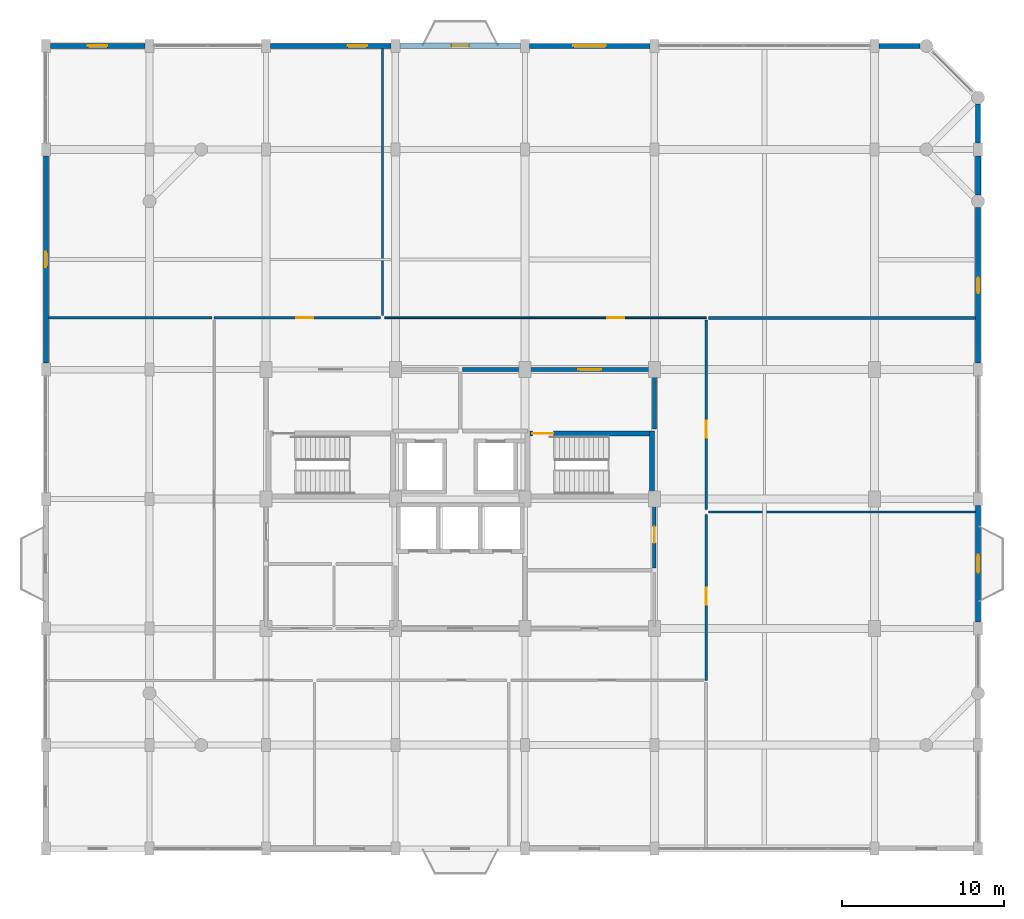
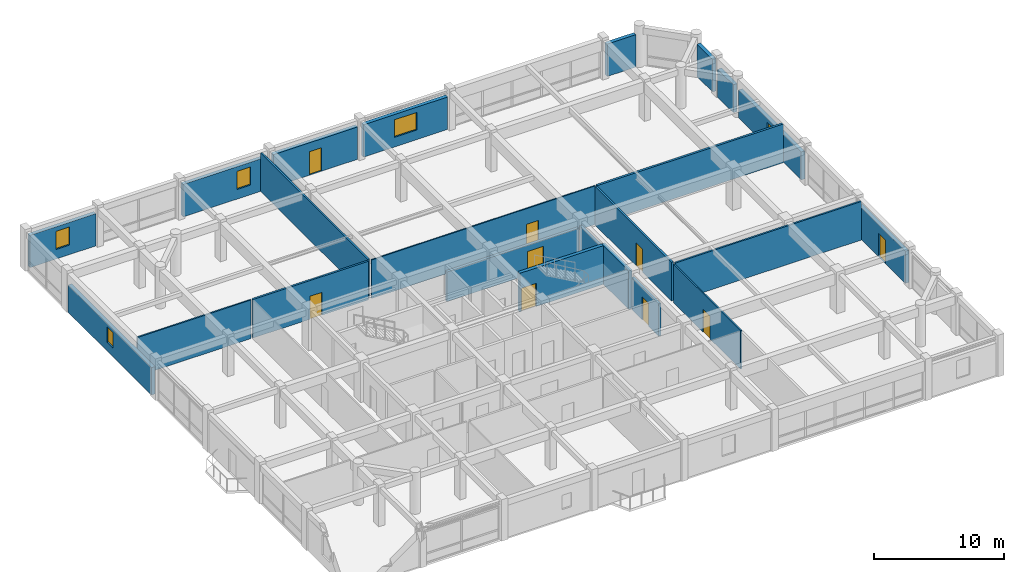
# One storey, part 13 of 15: 23 walls, 9 doors, 5 windows, 14 openings.
"""IFC4 building model written with IfcOpenShell, lengths in metres."""

from ifc_helpers import new_model, si_unit, direction, frame, frame_2d, origin, place, context, subcontext, project, spatial, rectangle, extrude, material, layer, layer_set, type_object, element, fill, save


model = new_model("IFC4")

# Units and contexts
model_context = context("Model", 3, precision=1e-05, world=origin(), true_north=direction((0.0, 1.0)))
body_context = subcontext(model_context, "Body", "Model", "MODEL_VIEW")
ifc_project = project(units=[si_unit("LENGTHUNIT", "METRE"), si_unit("AREAUNIT", "SQUARE_METRE"), si_unit("VOLUMEUNIT", "CUBIC_METRE"), si_unit("PLANEANGLEUNIT", "RADIAN"), si_unit("MASSUNIT", "GRAM", prefix="KILO")], contexts=[model_context])

# Site, building, storey
site_placement = place(None, origin())
site = spatial("IfcSite", under=ifc_project, at=site_placement, CompositionType="ELEMENT")
building_placement = place(site_placement, origin())
building = spatial("IfcBuilding", under=site, at=building_placement, Name="Vellmiral Cinema and Media Centre", CompositionType="ELEMENT")
storey_placement = place(building_placement, frame((0.0, 0.0, 31.699951171875)))
storey = spatial("IfcBuildingStorey", under=building, at=storey_placement, Name="L07", CompositionType="ELEMENT", Elevation=31.699951171875)

# Wall, opening, door
ifc_material_1 = material(Name="Concrete C40/50", Category="concrete")
ifc_layer_1 = layer(ifc_material_1, 0.2099609375, Name="Concrete C40/50")
ifc_layer_set_1 = layer_set([ifc_layer_1], Name="Concrete C40/50")
wall_type_1 = type_object("IfcWallType", Name="WL-COMP-210", PredefinedType="SOLIDWALL", material=ifc_layer_set_1)
wall_1_placement = place(storey_placement, frame((148.0, 82.93994140625, 0.0), z_axis=(0.0, 0.0, 1.0), x_axis=(0.0, 1.0, 0.0)))
wall_1 = element("IfcWall", 1, at=wall_1_placement, inside=storey, type_object=wall_type_1, Name="Data Patch and Riser Room Wall E", PredefinedType="SOLIDWALL", context=body_context, shape_type="SweptSolid", body=[
    extrude(rectangle(XDim=4.1201171875, YDim=0.2099609375, at=frame_2d((2.06005859375, 0.0))), origin(), (0.0, 0.0, 1.0), 3.03515625),
])
opening_1_placement = place(wall_1_placement, frame((1.56005859375, 0.0, 0.0)))
opening_1 = element("IfcOpeningElement", 2, at=opening_1_placement, cuts=wall_1, Name="Opening D-FD30B", PredefinedType="OPENING", context=body_context, shape_type="SweptSolid", body=[
    extrude(rectangle(XDim=1.0, YDim=2.14990234375, at=frame_2d((0.5, 1.074951171875))), frame((0.0, 0.116943359375, 0.0), z_axis=(0.0, -1.0, 0.0), x_axis=(1.0, 0.0, 0.0)), (0.0, 0.0, 1.0), 0.23388671875),
])
ifc_material_2 = material(Name="Steel Riser Fire Door", Category="steel")
door_type_1 = type_object("IfcDoorType", Name="DR-FD30-1000x2150", OperationType="NOTDEFINED", PredefinedType="DOOR", material=ifc_material_2)
door_1_placement = place(opening_1_placement, origin())
door_1 = element("IfcDoor", 3, at=door_1_placement, inside=storey, type_object=door_type_1, Name="Data Patch and Riser Room Door", OperationType="SINGLE_SWING_LEFT", OverallHeight=2.14990234375, OverallWidth=1.0, PredefinedType="DOOR", context=body_context, shape_type="SweptSolid", body=[
    extrude(rectangle(XDim=1.0, YDim=2.14990234375, at=frame_2d((0.5, 1.074951171875))), frame((0.0, 0.02490234375, 0.0), z_axis=(0.0, -1.0, 0.0), x_axis=(1.0, 0.0, 0.0)), (0.0, 0.0, 1.0), 0.050048828125),
])
fill(opening_1, door_1)

# Wall
ifc_material_3 = material(Name="Concrete C40/50", Category="concrete")
ifc_layer_2 = layer(ifc_material_3, 0.300048828125, Name="Concrete C40/50")
ifc_layer_set_2 = layer_set([ifc_layer_2], Name="Concrete C40/50")
wall_type_2 = type_object("IfcWallType", Name="WL-CORE-300", PredefinedType="SHEAR", material=ifc_layer_set_2)
wall_2_placement = place(storey_placement, frame((147.85009765625, 87.199951171875, 0.0), z_axis=(0.0, 0.0, 1.0), x_axis=(0.0, 1.0, 0.0)))
element("IfcWall", 4, at=wall_2_placement, inside=storey, type_object=wall_type_2, Name="Stair Core Wall ST-T2 L07-E", PredefinedType="SHEAR", context=body_context, shape_type="SweptSolid", body=[
    extrude(rectangle(XDim=4.199951171875, YDim=0.300048828125, at=frame_2d((2.10009765625, 0.0))), origin(), (0.0, 0.0, 1.0), 3.6201171875),
])

# Wall, opening, door
wall_3_placement = place(storey_placement, frame((140.300048828125, 91.25, 0.0), z_axis=(0.0, 0.0, 1.0), x_axis=(1.0, 0.0, 0.0)))
wall_3 = element("IfcWall", 5, at=wall_3_placement, inside=storey, type_object=wall_type_2, Name="Stair Core Wall ST-T2 L07-N", PredefinedType="SHEAR", context=body_context, shape_type="SweptSolid", body=[
    extrude(rectangle(XDim=7.39990234375, YDim=0.300048828125, at=frame_2d((3.699951171875, 0.0))), origin(), (0.0, 0.0, 1.0), 3.6201171875),
])
opening_2_placement = place(wall_3_placement, frame((0.159912109375, 0.0, 0.0)))
opening_2 = element("IfcOpeningElement", 6, at=opening_2_placement, cuts=wall_3, Name="Opening D-FD30A", PredefinedType="OPENING", context=body_context, shape_type="SweptSolid", body=[
    extrude(rectangle(XDim=1.300048828125, YDim=2.179931640625, at=frame_2d((0.64990234375, 1.08984375))), frame((0.0, 0.162109375, 0.0), z_axis=(0.0, -1.0, 0.0), x_axis=(1.0, 0.0, 0.0)), (0.0, 0.0, 1.0), 0.323974609375),
])
ifc_material_4 = material(Name="Steel Stair Fire Door", Category="steel")
door_type_2 = type_object("IfcDoorType", Name="DR-FD30-1300x2180", OperationType="NOTDEFINED", PredefinedType="DOOR", material=ifc_material_4)
door_2_placement = place(opening_2_placement, frame((1.300048828125, 0.0, 0.0), z_axis=(0.0, 0.0, 1.0), x_axis=(-1.0, 0.0, 0.0)))
door_2 = element("IfcDoor", 7, at=door_2_placement, inside=storey, type_object=door_type_2, Name="Protected Stair Door ST-T2 L07", OperationType="SINGLE_SWING_RIGHT", OverallHeight=2.179931640625, OverallWidth=1.300048828125, PredefinedType="DOOR", context=body_context, shape_type="SweptSolid", body=[
    extrude(rectangle(XDim=1.300048828125, YDim=2.179931640625, at=frame_2d((0.64990234375, 1.08984375))), frame((0.0, 0.02490234375, 0.0), z_axis=(0.0, -1.0, 0.0), x_axis=(1.0, 0.0, 0.0)), (0.0, 0.0, 1.0), 0.050048828125),
])
fill(opening_2, door_2)

ifc_material_5 = material(Name="Polychrome Glazed Ceramic Cladding", Category="masonry")
ifc_layer_3 = layer(ifc_material_5, 0.320068359375, Name="Polychrome Glazed Ceramic Cladding")
ifc_layer_set_3 = layer_set([ifc_layer_3], Name="Polychrome Glazed Ceramic Cladding")
wall_type_3 = type_object("IfcWallType", Name="WL-EXT-BRICK-320", PredefinedType="SOLIDWALL", material=ifc_layer_set_3)
wall_4_placement = place(storey_placement, frame((168.0, 79.60009765625, 0.0), z_axis=(0.0, 0.0, 1.0), x_axis=(0.0, 1.0, 0.0)))
wall_4 = element("IfcWall", 8, at=wall_4_placement, inside=storey, type_object=wall_type_3, Name="Exterior Facade Wall L07-011", PredefinedType="SOLIDWALL", context=body_context, shape_type="SweptSolid", body=[
    extrude(rectangle(XDim=7.199951171875, YDim=0.320068359375, at=frame_2d((3.60009765625, 0.0))), origin(), (0.0, 0.0, 1.0), 3.025146484375),
])
opening_3_placement = place(wall_4_placement, frame((3.050048828125, 0.0, 0.0)))
opening_3 = element("IfcOpeningElement", 9, at=opening_3_placement, cuts=wall_4, Name="Opening DE-06", PredefinedType="OPENING", context=body_context, shape_type="SweptSolid", body=[
    extrude(rectangle(XDim=1.10009765625, YDim=2.199951171875, at=frame_2d((0.550048828125, 1.10009765625))), frame((0.0, 0.171875, 0.0), z_axis=(0.0, -1.0, 0.0), x_axis=(1.0, 0.0, 0.0)), (0.0, 0.0, 1.0), 0.343994140625),
])
ifc_material_6 = material(Name="Thermally Broken Glazed Aluminium and Bronze Door", Category="aluminium")
door_type_3 = type_object("IfcDoorType", Name="DR-MIRA-1100x2200", OperationType="NOTDEFINED", PredefinedType="DOOR", material=ifc_material_6)
door_3_placement = place(opening_3_placement, frame((1.10009765625, 0.0, 0.0), z_axis=(0.0, 0.0, 1.0), x_axis=(-1.0, 0.0, 0.0)))
door_3 = element("IfcDoor", 10, at=door_3_placement, inside=storey, type_object=door_type_3, Name="Mirador Balcony Door L07-E", OperationType="SINGLE_SWING_LEFT", OverallHeight=2.199951171875, OverallWidth=1.10009765625, PredefinedType="DOOR", context=body_context, shape_type="SweptSolid", body=[
    extrude(rectangle(XDim=1.10009765625, YDim=2.199951171875, at=frame_2d((0.550048828125, 1.10009765625))), frame((0.0, 0.02490234375, 0.0), z_axis=(0.0, -1.0, 0.0), x_axis=(1.0, 0.0, 0.0)), (0.0, 0.0, 1.0), 0.050048828125),
])
fill(opening_3, door_3)

# Wall, opening, window
wall_5_placement = place(storey_placement, frame((168.0, 95.60009765625, 0.0), z_axis=(0.0, 0.0, 1.0), x_axis=(0.0, 1.0, 0.0)))
wall_5 = element("IfcWall", 11, at=wall_5_placement, inside=storey, type_object=wall_type_3, Name="Exterior Facade Wall L07-013", PredefinedType="SOLIDWALL", context=body_context, shape_type="SweptSolid", body=[
    extrude(rectangle(XDim=9.599853515625, YDim=0.320068359375, at=frame_2d((4.7998046875, 0.0))), origin(), (0.0, 0.0, 1.0), 2.625),
])
opening_4_placement = place(wall_5_placement, frame((4.324951171875, 0.0, 0.800048828125)))
opening_4 = element("IfcOpeningElement", 12, at=opening_4_placement, cuts=wall_5, Name="Opening WN-12", PredefinedType="OPENING", context=body_context, shape_type="SweptSolid", body=[
    extrude(rectangle(XDim=0.949951171875, YDim=1.449951171875, at=frame_2d((0.47509765625, 0.72509765625))), frame((0.0, 0.171875, 0.0), z_axis=(0.0, -1.0, 0.0), x_axis=(1.0, 0.0, 0.0)), (0.0, 0.0, 1.0), 0.343994140625),
])
ifc_material_7 = material(Name="Thermally Broken Aluminium Triple Glazing", Category="aluminium")
window_type_1 = type_object("IfcWindowType", Name="WN-0950x1450", PartitioningType="SINGLE_PANEL", PredefinedType="WINDOW", material=ifc_material_7)
window_1_placement = place(opening_4_placement, origin())
window_1 = element("IfcWindow", 13, at=window_1_placement, inside=storey, type_object=window_type_1, Name="Window L07-013", OverallHeight=1.449951171875, OverallWidth=0.949951171875, PartitioningType="SINGLE_PANEL", PredefinedType="WINDOW", context=body_context, shape_type="SweptSolid", body=[
    extrude(rectangle(XDim=0.949951171875, YDim=1.449951171875, at=frame_2d((0.47509765625, 0.72509765625))), frame((0.0, 0.030029296875, 0.0), z_axis=(0.0, -1.0, 0.0), x_axis=(1.0, 0.0, 0.0)), (0.0, 0.0, 1.0), 0.06005859375),
])
fill(opening_4, window_1)

# Walls
wall_6_placement = place(storey_placement, frame((168.0, 109.199951171875, 0.0), z_axis=(0.0, 0.0, 1.0), x_axis=(0.0, 1.0, 0.0)))
element("IfcWall", 14, at=wall_6_placement, inside=storey, type_object=wall_type_3, Name="Exterior Facade Wall L07-015", PredefinedType="SOLIDWALL", context=body_context, shape_type="SweptSolid", body=[
    extrude(rectangle(XDim=2.400146484375, YDim=0.320068359375, at=frame_2d((1.2001953125, 0.0))), origin(), (0.0, 0.0, 1.0), 3.0400390625),
])
wall_7_placement = place(storey_placement, frame((164.39990234375, 115.199951171875, 0.0), z_axis=(0.0, 0.0, 1.0), x_axis=(-1.0, 0.0, 0.0)))
element("IfcWall", 15, at=wall_7_placement, inside=storey, type_object=wall_type_3, Name="Exterior Facade Wall L07-017", PredefinedType="SOLIDWALL", context=body_context, shape_type="SweptSolid", body=[
    extrude(rectangle(XDim=2.52490234375, YDim=0.320068359375, at=frame_2d((1.262451171875, 0.0))), origin(), (0.0, 0.0, 1.0), 3.0400390625),
])

# Wall, opening, window
wall_8_placement = place(storey_placement, frame((147.72509765625, 115.199951171875, 0.0), z_axis=(0.0, 0.0, 1.0), x_axis=(-1.0, 0.0, 0.0)))
wall_8 = element("IfcWall", 16, at=wall_8_placement, inside=storey, type_object=wall_type_3, Name="Exterior Facade Wall L07-019", PredefinedType="SOLIDWALL", context=body_context, shape_type="SweptSolid", body=[
    extrude(rectangle(XDim=7.4501953125, YDim=0.320068359375, at=frame_2d((3.72509765625, 0.0))), origin(), (0.0, 0.0, 1.0), 3.0400390625),
])
opening_5_placement = place(wall_8_placement, frame((2.72509765625, 0.0, 0.89990234375)))
opening_5 = element("IfcOpeningElement", 17, at=opening_5_placement, cuts=wall_8, Name="Opening WN-14", PredefinedType="OPENING", context=body_context, shape_type="SweptSolid", body=[
    extrude(rectangle(XDim=2.0, YDim=1.64990234375, at=frame_2d((1.0, 0.824951171875))), frame((0.0, 0.171875, 0.0), z_axis=(0.0, -1.0, 0.0), x_axis=(1.0, 0.0, 0.0)), (0.0, 0.0, 1.0), 0.343994140625),
])
ifc_material_8 = material(Name="Thermally Broken Aluminium Triple Glazing", Category="aluminium")
window_type_2 = type_object("IfcWindowType", Name="WN-2000x1650", PartitioningType="DOUBLE_PANEL_HORIZONTAL", PredefinedType="WINDOW", material=ifc_material_8)
window_2_placement = place(opening_5_placement, origin())
window_2 = element("IfcWindow", 18, at=window_2_placement, inside=storey, type_object=window_type_2, Name="Window L07-019", OverallHeight=1.64990234375, OverallWidth=2.0, PartitioningType="DOUBLE_PANEL_HORIZONTAL", PredefinedType="WINDOW", context=body_context, shape_type="SweptSolid", body=[
    extrude(rectangle(XDim=2.0, YDim=1.64990234375, at=frame_2d((1.0, 0.824951171875))), frame((0.0, 0.030029296875, 0.0), z_axis=(0.0, -1.0, 0.0), x_axis=(1.0, 0.0, 0.0)), (0.0, 0.0, 1.0), 0.06005859375),
])
fill(opening_5, window_2)

wall_9_placement = place(storey_placement, frame((131.72509765625, 115.199951171875, 0.0), z_axis=(0.0, 0.0, 1.0), x_axis=(-1.0, 0.0, 0.0)))
wall_9 = element("IfcWall", 19, at=wall_9_placement, inside=storey, type_object=wall_type_3, Name="Exterior Facade Wall L07-021", PredefinedType="SOLIDWALL", context=body_context, shape_type="SweptSolid", body=[
    extrude(rectangle(XDim=7.4501953125, YDim=0.320068359375, at=frame_2d((3.72509765625, 0.0))), origin(), (0.0, 0.0, 1.0), 3.0400390625),
])
opening_6_placement = place(wall_9_placement, frame((1.47509765625, 0.0, 0.89990234375)))
opening_6 = element("IfcOpeningElement", 20, at=opening_6_placement, cuts=wall_9, Name="Opening WN-10", PredefinedType="OPENING", context=body_context, shape_type="SweptSolid", body=[
    extrude(rectangle(XDim=1.199951171875, YDim=1.699951171875, at=frame_2d((0.60009765625, 0.85009765625))), frame((0.0, 0.171875, 0.0), z_axis=(0.0, -1.0, 0.0), x_axis=(1.0, 0.0, 0.0)), (0.0, 0.0, 1.0), 0.343994140625),
])
ifc_material_9 = material(Name="Thermally Broken Aluminium Triple Glazing", Category="aluminium")
window_type_3 = type_object("IfcWindowType", Name="WN-1200x1700", PartitioningType="SINGLE_PANEL", PredefinedType="WINDOW", material=ifc_material_9)
window_3_placement = place(opening_6_placement, origin())
window_3 = element("IfcWindow", 21, at=window_3_placement, inside=storey, type_object=window_type_3, Name="Window L07-021", OverallHeight=1.699951171875, OverallWidth=1.199951171875, PartitioningType="SINGLE_PANEL", PredefinedType="WINDOW", context=body_context, shape_type="SweptSolid", body=[
    extrude(rectangle(XDim=1.199951171875, YDim=1.699951171875, at=frame_2d((0.60009765625, 0.85009765625))), frame((0.0, 0.030029296875, 0.0), z_axis=(0.0, -1.0, 0.0), x_axis=(1.0, 0.0, 0.0)), (0.0, 0.0, 1.0), 0.06005859375),
])
fill(opening_6, window_3)

wall_10_placement = place(storey_placement, frame((116.52490234375, 115.199951171875, 0.0), z_axis=(0.0, 0.0, 1.0), x_axis=(-1.0, 0.0, 0.0)))
wall_10 = element("IfcWall", 22, at=wall_10_placement, inside=storey, type_object=wall_type_3, Name="Exterior Facade Wall L07-023", PredefinedType="SOLIDWALL", context=body_context, shape_type="SweptSolid", body=[
    extrude(rectangle(XDim=5.849853515625, YDim=0.320068359375, at=frame_2d((2.9248046875, 0.0))), origin(), (0.0, 0.0, 1.0), 3.025146484375),
])
opening_7_placement = place(wall_10_placement, frame((2.324951171875, 0.0, 0.89990234375)))
opening_7 = element("IfcOpeningElement", 23, at=opening_7_placement, cuts=wall_10, Name="Opening WN-10", PredefinedType="OPENING", context=body_context, shape_type="SweptSolid", body=[
    extrude(rectangle(XDim=1.199951171875, YDim=1.699951171875, at=frame_2d((0.60009765625, 0.85009765625))), frame((0.0, 0.171875, 0.0), z_axis=(0.0, -1.0, 0.0), x_axis=(1.0, 0.0, 0.0)), (0.0, 0.0, 1.0), 0.343994140625),
])
window_4_placement = place(opening_7_placement, origin())
window_4 = element("IfcWindow", 24, at=window_4_placement, inside=storey, type_object=window_type_3, Name="Window L07-023", OverallHeight=1.699951171875, OverallWidth=1.199951171875, PartitioningType="SINGLE_PANEL", PredefinedType="WINDOW", context=body_context, shape_type="SweptSolid", body=[
    extrude(rectangle(XDim=1.199951171875, YDim=1.699951171875, at=frame_2d((0.60009765625, 0.85009765625))), frame((0.0, 0.030029296875, 0.0), z_axis=(0.0, -1.0, 0.0), x_axis=(1.0, 0.0, 0.0)), (0.0, 0.0, 1.0), 0.06005859375),
])
fill(opening_7, window_4)

wall_11_placement = place(storey_placement, frame((110.39990234375, 108.39990234375, 0.0), z_axis=(0.0, 0.0, 1.0), x_axis=(0.0, -1.0, 0.0)))
wall_11 = element("IfcWall", 25, at=wall_11_placement, inside=storey, type_object=wall_type_3, Name="Exterior Facade Wall L07-025", PredefinedType="SOLIDWALL", context=body_context, shape_type="SweptSolid", body=[
    extrude(rectangle(XDim=12.7998046875, YDim=0.320068359375, at=frame_2d((6.39990234375, 0.0))), origin(), (0.0, 0.0, 1.0), 2.574951171875),
])
opening_8_placement = place(wall_11_placement, frame((5.925048828125, 0.0, 0.800048828125)))
opening_8 = element("IfcOpeningElement", 26, at=opening_8_placement, cuts=wall_11, Name="Opening WN-12", PredefinedType="OPENING", context=body_context, shape_type="SweptSolid", body=[
    extrude(rectangle(XDim=0.949951171875, YDim=1.449951171875, at=frame_2d((0.47509765625, 0.72509765625))), frame((0.0, 0.171875, 0.0), z_axis=(0.0, -1.0, 0.0), x_axis=(1.0, 0.0, 0.0)), (0.0, 0.0, 1.0), 0.343994140625),
])
window_5_placement = place(opening_8_placement, origin())
window_5 = element("IfcWindow", 27, at=window_5_placement, inside=storey, type_object=window_type_1, Name="Window L07-025", OverallHeight=1.449951171875, OverallWidth=0.949951171875, PartitioningType="SINGLE_PANEL", PredefinedType="WINDOW", context=body_context, shape_type="SweptSolid", body=[
    extrude(rectangle(XDim=0.949951171875, YDim=1.449951171875, at=frame_2d((0.47509765625, 0.72509765625))), frame((0.0, 0.030029296875, 0.0), z_axis=(0.0, -1.0, 0.0), x_axis=(1.0, 0.0, 0.0)), (0.0, 0.0, 1.0), 0.06005859375),
])
fill(opening_8, window_5)

# Wall
ifc_material_10 = material(Name="Vosges Red Sandstone Masonry", Category="masonry")
ifc_layer_4 = layer(ifc_material_10, 0.340087890625, Name="Vosges Red Sandstone Masonry")
ifc_layer_set_4 = layer_set([ifc_layer_4], Name="Vosges Red Sandstone Masonry")
wall_type_4 = type_object("IfcWallType", Name="WL-EXT-SAND-340", PredefinedType="SOLIDWALL", material=ifc_layer_set_4)
wall_12_placement = place(storey_placement, frame((168.0, 106.0, 0.0), z_axis=(0.0, 0.0, 1.0), x_axis=(0.0, 1.0, 0.0)))
element("IfcWall", 28, at=wall_12_placement, inside=storey, type_object=wall_type_4, Name="Exterior Facade Wall L07-014", PredefinedType="SOLIDWALL", context=body_context, shape_type="SweptSolid", body=[
    extrude(rectangle(XDim=2.39990234375, YDim=0.340087890625, at=frame_2d((1.199951171875, 0.0))), origin(), (0.0, 0.0, 1.0), 2.625),
])

# Wall, opening, door
wall_13_placement = place(storey_placement, frame((139.72509765625, 115.199951171875, 0.0), z_axis=(0.0, 0.0, 1.0), x_axis=(-1.0, 0.0, 0.0)))
wall_13 = element("IfcWall", 29, at=wall_13_placement, inside=storey, type_object=wall_type_4, Name="Exterior Facade Wall L07-020", PredefinedType="SOLIDWALL", context=body_context, shape_type="SweptSolid", body=[
    extrude(rectangle(XDim=7.4501953125, YDim=0.340087890625, at=frame_2d((3.72509765625, 0.0))), origin(), (0.0, 0.0, 1.0), 3.0400390625),
])
opening_9_placement = place(wall_13_placement, frame((3.175048828125, 0.0, 0.0)))
opening_9 = element("IfcOpeningElement", 30, at=opening_9_placement, cuts=wall_13, Name="Opening DE-06", PredefinedType="OPENING", context=body_context, shape_type="SweptSolid", body=[
    extrude(rectangle(XDim=1.10009765625, YDim=2.199951171875, at=frame_2d((0.550048828125, 1.10009765625))), frame((0.0, 0.18212890625, 0.0), z_axis=(0.0, -1.0, 0.0), x_axis=(1.0, 0.0, 0.0)), (0.0, 0.0, 1.0), 0.364013671875),
])
door_4_placement = place(opening_9_placement, frame((1.10009765625, 0.0, 0.0), z_axis=(0.0, 0.0, 1.0), x_axis=(-1.0, 0.0, 0.0)))
door_4 = element("IfcDoor", 31, at=door_4_placement, inside=storey, type_object=door_type_3, Name="Mirador Balcony Door L07-N", OperationType="SINGLE_SWING_RIGHT", OverallHeight=2.199951171875, OverallWidth=1.10009765625, PredefinedType="DOOR", context=body_context, shape_type="SweptSolid", body=[
    extrude(rectangle(XDim=1.10009765625, YDim=2.199951171875, at=frame_2d((0.550048828125, 1.10009765625))), frame((0.0, 0.02490234375, 0.0), z_axis=(0.0, -1.0, 0.0), x_axis=(1.0, 0.0, 0.0)), (0.0, 0.0, 1.0), 0.050048828125),
])
fill(opening_9, door_4)

ifc_material_11 = material(Name="Concrete C40/50", Category="concrete")
ifc_layer_5 = layer(ifc_material_11, 0.22998046875, Name="Concrete C40/50")
ifc_layer_set_5 = layer_set([ifc_layer_5], Name="Concrete C40/50")
wall_type_5 = type_object("IfcWallType", Name="WL-FFL-230", PredefinedType="SOLIDWALL", material=ifc_layer_set_5)
wall_14_placement = place(storey_placement, frame((136.139892578125, 95.199951171875, 0.0), z_axis=(0.0, 0.0, 1.0), x_axis=(1.0, 0.0, 0.0)))
wall_14 = element("IfcWall", 32, at=wall_14_placement, inside=storey, type_object=wall_type_5, Name="Firefighting Lobby East Wall N", PredefinedType="SOLIDWALL", context=body_context, shape_type="SweptSolid", body=[
    extrude(rectangle(XDim=11.72021484375, YDim=0.22998046875, at=frame_2d((5.860107421875, 0.0))), origin(), (0.0, 0.0, 1.0), 2.78515625),
])
opening_10_placement = place(wall_14_placement, frame((7.159912109375, 0.0, 0.0)))
opening_10 = element("IfcOpeningElement", 33, at=opening_10_placement, cuts=wall_14, Name="Opening D-FD60B", PredefinedType="OPENING", context=body_context, shape_type="SweptSolid", body=[
    extrude(rectangle(XDim=1.39990234375, YDim=2.199951171875, at=frame_2d((0.699951171875, 1.10009765625))), frame((0.0, 0.126953125, 0.0), z_axis=(0.0, -1.0, 0.0), x_axis=(1.0, 0.0, 0.0)), (0.0, 0.0, 1.0), 0.25390625),
])
ifc_material_12 = material(Name="Steel Fire Door", Category="steel")
door_type_4 = type_object("IfcDoorType", Name="DR-FD60-1400x2200", OperationType="NOTDEFINED", PredefinedType="DOOR", material=ifc_material_12)
door_5_placement = place(opening_10_placement, frame((1.39990234375, 0.0, 0.0), z_axis=(0.0, 0.0, 1.0), x_axis=(-1.0, 0.0, 0.0)))
door_5 = element("IfcDoor", 34, at=door_5_placement, inside=storey, type_object=door_type_4, Name="Firefighting Lobby East Door", OperationType="SINGLE_SWING_LEFT", OverallHeight=2.199951171875, OverallWidth=1.39990234375, PredefinedType="DOOR", context=body_context, shape_type="SweptSolid", body=[
    extrude(rectangle(XDim=1.39990234375, YDim=2.199951171875, at=frame_2d((0.699951171875, 1.10009765625))), frame((0.0, 0.02490234375, 0.0), z_axis=(0.0, -1.0, 0.0), x_axis=(1.0, 0.0, 0.0)), (0.0, 0.0, 1.0), 0.050048828125),
])
fill(opening_10, door_5)

# Wall
wall_15_placement = place(storey_placement, frame((148.0, 91.5400390625, 0.0), z_axis=(0.0, 0.0, 1.0), x_axis=(0.0, 1.0, 0.0)))
element("IfcWall", 35, at=wall_15_placement, inside=storey, type_object=wall_type_5, Name="Firefighting Lobby East Wall E", PredefinedType="SOLIDWALL", context=body_context, shape_type="SweptSolid", body=[
    extrude(rectangle(XDim=3.52001953125, YDim=0.22998046875, at=frame_2d((1.760009765625, 0.0))), origin(), (0.0, 0.0, 1.0), 3.03515625),
])

# Wall, opening, door
ifc_material_13 = material(Name="Gypsum Plasterboard")
ifc_layer_6 = layer(ifc_material_13, 0.02490234375, Name="Gypsum Plasterboard", Category="gypsum")
ifc_material_14 = material(Name="Mineral Wool Acoustic Insulation", Category="insulation")
ifc_layer_7 = layer(ifc_material_14, 0.06005859375, Name="Mineral Wool Acoustic Insulation", Category="insulation")
ifc_layer_8 = layer(ifc_material_13, 0.02490234375, Name="Gypsum Plasterboard", Category="gypsum")
ifc_layer_set_6 = layer_set([ifc_layer_6, ifc_layer_7, ifc_layer_8], Name="Gypsum Plasterboard")
wall_type_6 = type_object("IfcWallType", Name="WL-PART-110", PredefinedType="PARTITIONING", material=ifc_layer_set_6)
wall_16_placement = place(storey_placement, frame((131.340087890625, 98.39990234375, 0.0), z_axis=(0.0, 0.0, 1.0), x_axis=(1.0, 0.0, 0.0)))
wall_16 = element("IfcWall", 36, at=wall_16_placement, inside=storey, type_object=wall_type_6, Name="North Animation Studio East Wall S", PredefinedType="PARTITIONING", context=body_context, shape_type="SweptSolid", body=[
    extrude(rectangle(XDim=19.85986328125, YDim=0.110107421875, at=frame_2d((9.929931640625, 0.0))), origin(), (0.0, 0.0, 1.0), 3.6201171875),
])
opening_11_placement = place(wall_16_placement, frame((13.735107421875, 0.0, 0.0)))
opening_11 = element("IfcOpeningElement", 37, at=opening_11_placement, cuts=wall_16, Name="Opening D-I07", PredefinedType="OPENING", context=body_context, shape_type="SweptSolid", body=[
    extrude(rectangle(XDim=1.050048828125, YDim=2.14990234375, at=frame_2d((0.52490234375, 1.074951171875))), frame((0.0, 0.06689453125, 0.0), z_axis=(0.0, -1.0, 0.0), x_axis=(1.0, 0.0, 0.0)), (0.0, 0.0, 1.0), 0.134033203125),
])
ifc_material_15 = material(Name="Laminated Timber Door", Category="wood")
door_type_5 = type_object("IfcDoorType", Name="DR-INT-1050x2150", OperationType="NOTDEFINED", PredefinedType="DOOR", material=ifc_material_15)
door_6_placement = place(opening_11_placement, frame((1.050048828125, 0.0, 0.0), z_axis=(0.0, 0.0, 1.0), x_axis=(-1.0, 0.0, 0.0)))
door_6 = element("IfcDoor", 38, at=door_6_placement, inside=storey, type_object=door_type_5, Name="North Animation Studio East Door", OperationType="SINGLE_SWING_LEFT", OverallHeight=2.14990234375, OverallWidth=1.050048828125, PredefinedType="DOOR", context=body_context, shape_type="SweptSolid", body=[
    extrude(rectangle(XDim=1.050048828125, YDim=2.14990234375, at=frame_2d((0.52490234375, 1.074951171875))), frame((0.0, 0.02490234375, 0.0), z_axis=(0.0, -1.0, 0.0), x_axis=(1.0, 0.0, 0.0)), (0.0, 0.0, 1.0), 0.050048828125),
])
fill(opening_11, door_6)

ifc_material_16 = material(Name="Gypsum Plasterboard")
ifc_layer_9 = layer(ifc_material_16, 0.02490234375, Name="Gypsum Plasterboard", Category="gypsum")
ifc_material_17 = material(Name="Mineral Wool Acoustic Insulation", Category="insulation")
ifc_layer_10 = layer(ifc_material_17, 0.080078125, Name="Mineral Wool Acoustic Insulation", Category="insulation")
ifc_layer_11 = layer(ifc_material_16, 0.02490234375, Name="Gypsum Plasterboard", Category="gypsum")
ifc_layer_set_7 = layer_set([ifc_layer_9, ifc_layer_10, ifc_layer_11], Name="Gypsum Plasterboard")
wall_type_7 = type_object("IfcWallType", Name="WL-PART-130", PredefinedType="PARTITIONING", material=ifc_layer_set_7)
wall_17_placement = place(storey_placement, frame((151.199951171875, 76.0, 0.0), z_axis=(0.0, 0.0, 1.0), x_axis=(0.0, 1.0, 0.0)))
wall_17 = element("IfcWall", 39, at=wall_17_placement, inside=storey, type_object=wall_type_7, Name="East VFX Render Studio Wall W", PredefinedType="PARTITIONING", context=body_context, shape_type="SweptSolid", body=[
    extrude(rectangle(XDim=10.260009765625, YDim=0.1298828125, at=frame_2d((5.1298828125, 0.0))), origin(), (0.0, 0.0, 1.0), 3.6201171875),
])
opening_12_placement = place(wall_17_placement, frame((4.675048828125, 0.0, 0.0)))
opening_12 = element("IfcOpeningElement", 40, at=opening_12_placement, cuts=wall_17, Name="Opening D-I07", PredefinedType="OPENING", context=body_context, shape_type="SweptSolid", body=[
    extrude(rectangle(XDim=1.050048828125, YDim=2.14990234375, at=frame_2d((0.52490234375, 1.074951171875))), frame((0.0, 0.076904296875, 0.0), z_axis=(0.0, -1.0, 0.0), x_axis=(1.0, 0.0, 0.0)), (0.0, 0.0, 1.0), 0.15380859375),
])
door_7_placement = place(opening_12_placement, origin())
door_7 = element("IfcDoor", 41, at=door_7_placement, inside=storey, type_object=door_type_5, Name="East VFX Render Studio Door", OperationType="SINGLE_SWING_RIGHT", OverallHeight=2.14990234375, OverallWidth=1.050048828125, PredefinedType="DOOR", context=body_context, shape_type="SweptSolid", body=[
    extrude(rectangle(XDim=1.050048828125, YDim=2.14990234375, at=frame_2d((0.52490234375, 1.074951171875))), frame((0.0, 0.02490234375, 0.0), z_axis=(0.0, -1.0, 0.0), x_axis=(1.0, 0.0, 0.0)), (0.0, 0.0, 1.0), 0.050048828125),
])
fill(opening_12, door_7)

# Walls
wall_18_placement = place(storey_placement, frame((110.574951171875, 98.39990234375, 0.0), z_axis=(0.0, 0.0, 1.0), x_axis=(1.0, 0.0, 0.0)))
element("IfcWall", 42, at=wall_18_placement, inside=storey, type_object=wall_type_7, Name="West VFX Production Office Wall N", PredefinedType="PARTITIONING", context=body_context, shape_type="SweptSolid", body=[
    extrude(rectangle(XDim=10.0849609375, YDim=0.1298828125, at=frame_2d((5.04248046875, 0.0))), origin(), (0.0, 0.0, 1.0), 3.6201171875),
])
ifc_material_18 = material(Name="Gypsum Plasterboard")
ifc_layer_12 = layer(ifc_material_18, 0.02490234375, Name="Gypsum Plasterboard", Category="gypsum")
ifc_material_19 = material(Name="Mineral Wool Acoustic Insulation", Category="insulation")
ifc_layer_13 = layer(ifc_material_19, 0.10009765625, Name="Mineral Wool Acoustic Insulation", Category="insulation")
ifc_layer_14 = layer(ifc_material_18, 0.02490234375, Name="Gypsum Plasterboard", Category="gypsum")
ifc_layer_set_8 = layer_set([ifc_layer_12, ifc_layer_13, ifc_layer_14], Name="Gypsum Plasterboard")
wall_type_8 = type_object("IfcWallType", Name="WL-PART-150", PredefinedType="PARTITIONING", material=ifc_layer_set_8)
for number, where, z_axis, x_axis, name in (
    (43, (151.340087890625, 86.39990234375, 0.0), (0.0, 0.0, 1.0), (1.0, 0.0, 0.0), "East VFX Render Studio Wall N"),
    (44, (131.199951171875, 98.5400390625, 0.0), (0.0, 0.0, 1.0), (0.0, 1.0, 0.0), "North Animation Studio West Wall E"),
):
    element("IfcWall", number, at=place(storey_placement, frame(where, z_axis=z_axis, x_axis=x_axis)), inside=storey, type_object=wall_type_8, Name=name, PredefinedType="PARTITIONING", context=body_context, shape_type="SweptSolid", body=[
        extrude(rectangle(XDim=16.48486328125, YDim=0.14990234375, at=frame_2d((8.242431640625, 0.0))), origin(), (0.0, 0.0, 1.0), 3.6201171875),
    ])

# Wall, opening, door
ifc_material_20 = material(Name="Gypsum Plasterboard")
ifc_layer_15 = layer(ifc_material_20, 0.02490234375, Name="Gypsum Plasterboard", Category="gypsum")
ifc_material_21 = material(Name="Mineral Wool Acoustic Insulation", Category="insulation")
ifc_layer_16 = layer(ifc_material_21, 0.1201171875, Name="Mineral Wool Acoustic Insulation", Category="insulation")
ifc_layer_17 = layer(ifc_material_20, 0.02490234375, Name="Gypsum Plasterboard", Category="gypsum")
ifc_layer_set_9 = layer_set([ifc_layer_15, ifc_layer_16, ifc_layer_17], Name="Gypsum Plasterboard")
wall_type_9 = type_object("IfcWallType", Name="WL-PART-170", PredefinedType="PARTITIONING", material=ifc_layer_set_9)
wall_19_placement = place(storey_placement, frame((151.199951171875, 86.5400390625, 0.0), z_axis=(0.0, 0.0, 1.0), x_axis=(0.0, 1.0, 0.0)))
wall_19 = element("IfcWall", 45, at=wall_19_placement, inside=storey, type_object=wall_type_9, Name="East VFX Mastering Suite Wall W", PredefinedType="PARTITIONING", context=body_context, shape_type="SweptSolid", body=[
    extrude(rectangle(XDim=11.719970703125, YDim=0.169921875, at=frame_2d((5.85986328125, 0.0))), origin(), (0.0, 0.0, 1.0), 3.6201171875),
])
opening_13_placement = place(wall_19_placement, frame((4.43505859375, 0.0, 0.0)))
opening_13 = element("IfcOpeningElement", 46, at=opening_13_placement, cuts=wall_19, Name="Opening D-I07", PredefinedType="OPENING", context=body_context, shape_type="SweptSolid", body=[
    extrude(rectangle(XDim=1.050048828125, YDim=2.14990234375, at=frame_2d((0.52490234375, 1.074951171875))), frame((0.0, 0.096923828125, 0.0), z_axis=(0.0, -1.0, 0.0), x_axis=(1.0, 0.0, 0.0)), (0.0, 0.0, 1.0), 0.19384765625),
])
door_8_placement = place(opening_13_placement, frame((1.050048828125, 0.0, 0.0), z_axis=(0.0, 0.0, 1.0), x_axis=(-1.0, 0.0, 0.0)))
door_8 = element("IfcDoor", 47, at=door_8_placement, inside=storey, type_object=door_type_5, Name="East VFX Mastering Suite Door", OperationType="SINGLE_SWING_RIGHT", OverallHeight=2.14990234375, OverallWidth=1.050048828125, PredefinedType="DOOR", context=body_context, shape_type="SweptSolid", body=[
    extrude(rectangle(XDim=1.050048828125, YDim=2.14990234375, at=frame_2d((0.52490234375, 1.074951171875))), frame((0.0, 0.02490234375, 0.0), z_axis=(0.0, -1.0, 0.0), x_axis=(1.0, 0.0, 0.0)), (0.0, 0.0, 1.0), 0.050048828125),
])
fill(opening_13, door_8)

wall_20_placement = place(storey_placement, frame((120.800048828125, 98.39990234375, 0.0), z_axis=(0.0, 0.0, 1.0), x_axis=(1.0, 0.0, 0.0)))
wall_20 = element("IfcWall", 48, at=wall_20_placement, inside=storey, type_object=wall_type_9, Name="North Animation Studio West Wall S", PredefinedType="PARTITIONING", context=body_context, shape_type="SweptSolid", body=[
    extrude(rectangle(XDim=10.260009765625, YDim=0.169921875, at=frame_2d((5.1298828125, 0.0))), origin(), (0.0, 0.0, 1.0), 3.6201171875),
])
opening_14_placement = place(wall_20_placement, frame((5.074951171875, 0.0, 0.0)))
opening_14 = element("IfcOpeningElement", 49, at=opening_14_placement, cuts=wall_20, Name="Opening D-I07", PredefinedType="OPENING", context=body_context, shape_type="SweptSolid", body=[
    extrude(rectangle(XDim=1.050048828125, YDim=2.14990234375, at=frame_2d((0.52490234375, 1.074951171875))), frame((0.0, 0.096923828125, 0.0), z_axis=(0.0, -1.0, 0.0), x_axis=(1.0, 0.0, 0.0)), (0.0, 0.0, 1.0), 0.19384765625),
])
door_9_placement = place(opening_14_placement, frame((1.050048828125, 0.0, 0.0), z_axis=(0.0, 0.0, 1.0), x_axis=(-1.0, 0.0, 0.0)))
door_9 = element("IfcDoor", 50, at=door_9_placement, inside=storey, type_object=door_type_5, Name="North Animation Studio West Door", OperationType="SINGLE_SWING_LEFT", OverallHeight=2.14990234375, OverallWidth=1.050048828125, PredefinedType="DOOR", context=body_context, shape_type="SweptSolid", body=[
    extrude(rectangle(XDim=1.050048828125, YDim=2.14990234375, at=frame_2d((0.52490234375, 1.074951171875))), frame((0.0, 0.02490234375, 0.0), z_axis=(0.0, -1.0, 0.0), x_axis=(1.0, 0.0, 0.0)), (0.0, 0.0, 1.0), 0.050048828125),
])
fill(opening_14, door_9)

# Wall
ifc_material_22 = material(Name="Gypsum Plasterboard")
ifc_layer_18 = layer(ifc_material_22, 0.02490234375, Name="Gypsum Plasterboard", Category="gypsum")
ifc_material_23 = material(Name="Mineral Wool Acoustic Insulation", Category="insulation")
ifc_layer_19 = layer(ifc_material_23, 0.139892578125, Name="Mineral Wool Acoustic Insulation", Category="insulation")
ifc_layer_20 = layer(ifc_material_22, 0.02490234375, Name="Gypsum Plasterboard", Category="gypsum")
ifc_layer_set_10 = layer_set([ifc_layer_18, ifc_layer_19, ifc_layer_20], Name="Gypsum Plasterboard")
wall_type_10 = type_object("IfcWallType", Name="WL-PART-190", PredefinedType="PARTITIONING", material=ifc_layer_set_10)
wall_21_placement = place(storey_placement, frame((151.340087890625, 98.39990234375, 0.0), z_axis=(0.0, 0.0, 1.0), x_axis=(1.0, 0.0, 0.0)))
element("IfcWall", 51, at=wall_21_placement, inside=storey, type_object=wall_type_10, Name="East VFX Mastering Suite Wall N", PredefinedType="PARTITIONING", context=body_context, shape_type="SweptSolid", body=[
    extrude(rectangle(XDim=16.48486328125, YDim=0.18994140625, at=frame_2d((8.242431640625, 0.0))), origin(), (0.0, 0.0, 1.0), 3.6201171875),
])

save(model, "model.ifc")
